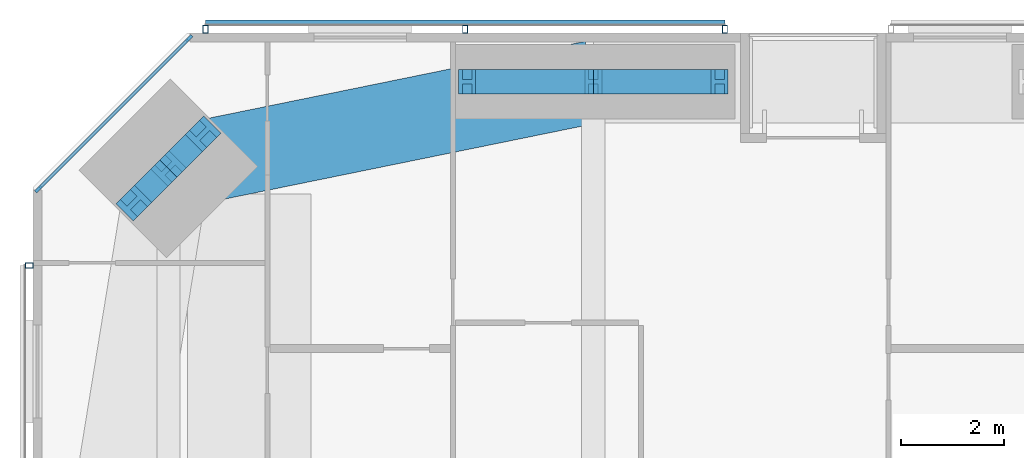
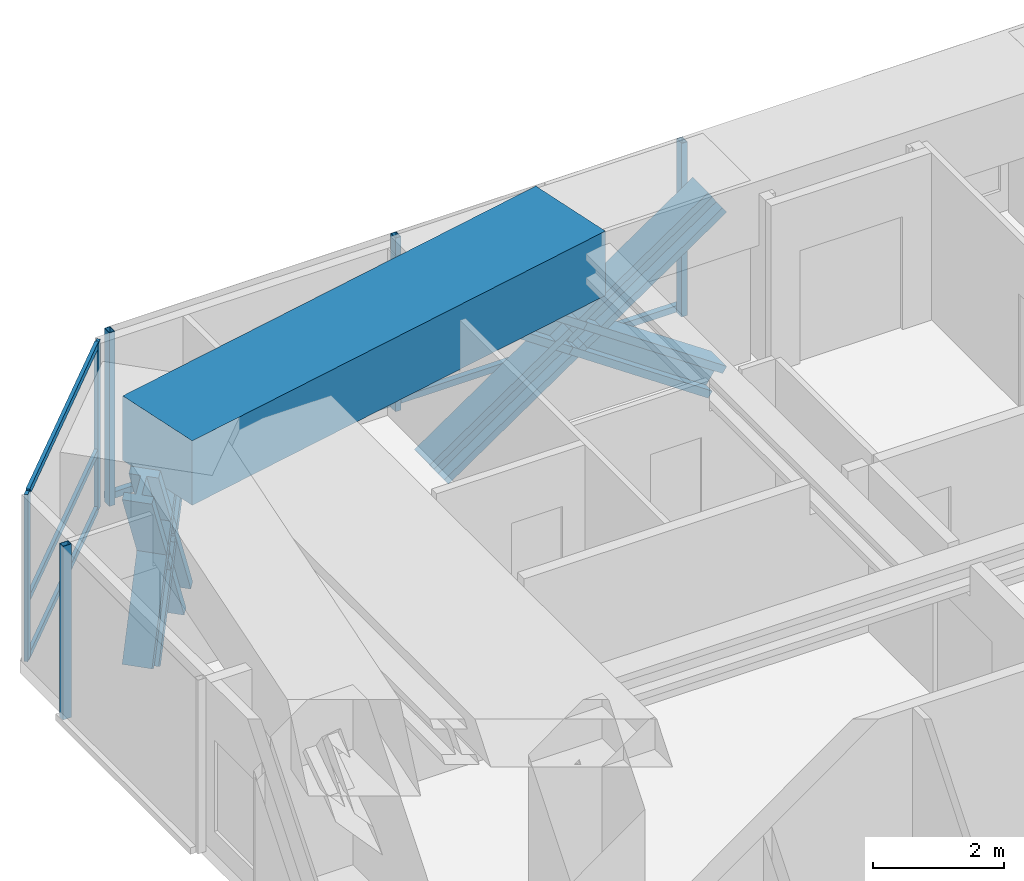
# One storey, part 12 of 24: 18 members, 1 beam, 3 elements without a shape of their own.
"""IFC4 building model written with IfcOpenShell, lengths in metres."""

from ifc_helpers import new_model, si_unit, direction, frame, origin, origin_2d, place, context, subcontext, project, spatial, rectangle, hollow_rectangle, i_section, extrude, material, material_profile, profile_set, type_object, element, aggregate, save


model = new_model("IFC4")

# Units and contexts
model_context = context("Model", 3, precision=1e-05, world=origin(), true_north=direction((0.0, 1.0)))
body_context = subcontext(model_context, "Body", "Model", "MODEL_VIEW")
ifc_project = project(units=[si_unit("LENGTHUNIT", "METRE"), si_unit("AREAUNIT", "SQUARE_METRE"), si_unit("VOLUMEUNIT", "CUBIC_METRE"), si_unit("PLANEANGLEUNIT", "RADIAN"), si_unit("MASSUNIT", "GRAM", prefix="KILO")], contexts=[model_context])

# Site, building, storey
site_placement = place(None, origin())
site = spatial("IfcSite", under=ifc_project, at=site_placement, CompositionType="ELEMENT")
building_placement = place(site_placement, origin())
building = spatial("IfcBuilding", under=site, at=building_placement, Name="Jalousie Tower", CompositionType="ELEMENT")
storey_placement = place(building_placement, frame((0.0, 0.0, 135.0)))
storey = spatial("IfcBuildingStorey", under=building, at=storey_placement, Name="L37", CompositionType="ELEMENT", Elevation=135.0)

# Curtain wall, members
ifc_material_1 = material(Name="Aluminium curtain wall", Category="aluminium")
curtain_wall_type_1 = type_object("IfcCurtainWallType", Name="CORNER WINDOW WALL", PredefinedType="USERDEFINED", material=ifc_material_1)
curtain_wall_1_placement = place(storey_placement, origin())
curtain_wall_1 = element("IfcCurtainWall", 1, at=curtain_wall_1_placement, inside=storey, type_object=curtain_wall_type_1, Name="Corner Window Wall L37 6", ObjectType="CORNER WINDOW WALL", PredefinedType="USERDEFINED")
ifc_material_2 = material(Name="Aluminium mullion", Category="aluminium")
ifc_material_profile_1 = material_profile(ifc_material_2, rectangle(XDim=0.06005859375, YDim=0.14990234375, at=origin_2d()), Name="MULLION 60x150")
ifc_profile_set_1 = profile_set([ifc_material_profile_1], Name="Aluminium mullion")
member_type_1 = type_object("IfcMemberType", Name="CORNER WINDOW WALL MULLION", PredefinedType="MULLION", material=ifc_profile_set_1)
member_1_placement = place(storey_placement, frame((9.030029296875, 37.891357421875, 0.0), z_axis=(0.0, 0.0, 1.0), x_axis=(0.707106781187, -0.707106781187, 0.0)))
member_1 = element("IfcMember", 2, at=member_1_placement, type_object=member_type_1, Name="CW-C mullion 1", PredefinedType="MULLION", context=body_context, shape_type="SweptSolid", body=[
    extrude(rectangle(XDim=0.06005859375, YDim=0.14990234375, at=origin_2d()), origin(), (0.0, 0.0, 1.0), 3.110107421875),
])
member_2_placement = place(storey_placement, frame((6.108642578125, 34.969970703125, 0.0), z_axis=(0.0, 0.0, 1.0), x_axis=(0.707106781187, -0.707106781187, 0.0)))
member_2 = element("IfcMember", 3, at=member_2_placement, type_object=member_type_1, Name="CW-C mullion 2", PredefinedType="MULLION", context=body_context, shape_type="SweptSolid", body=[
    extrude(rectangle(XDim=0.06005859375, YDim=0.14990234375, at=origin_2d()), origin(), (0.0, 0.0, 1.0), 3.110107421875),
])
ifc_material_3 = material(Name="Aluminium transom", Category="aluminium")
ifc_material_profile_2 = material_profile(ifc_material_3, rectangle(XDim=0.06005859375, YDim=0.1201171875, at=origin_2d()), Name="TRANSOM 60x120")
ifc_profile_set_2 = profile_set([ifc_material_profile_2], Name="Aluminium transom")
member_type_2 = type_object("IfcMemberType", Name="CORNER WINDOW WALL TRANSOM", PredefinedType="USERDEFINED", material=ifc_profile_set_2)
member_3_placement = place(storey_placement, frame((9.0087890625, 37.8701171875, 0.030029296875), z_axis=(-0.707106781187, -0.707106781187, 0.0), x_axis=(0.707106781187, -0.707106781187, 0.0)))
member_3 = element("IfcMember", 4, at=member_3_placement, type_object=member_type_2, Name="CW-C transom 1.1", ObjectType="TRANSOM", PredefinedType="USERDEFINED", context=body_context, shape_type="SweptSolid", body=[
    extrude(rectangle(XDim=0.06005859375, YDim=0.1201171875, at=origin_2d()), origin(), (0.0, 0.0, 1.0), 4.0712890625),
])
member_4_placement = place(storey_placement, frame((9.0087890625, 37.8701171875, 1.10009765625), z_axis=(-0.707106781187, -0.707106781187, 0.0), x_axis=(0.707106781187, -0.707106781187, 0.0)))
member_4 = element("IfcMember", 5, at=member_4_placement, type_object=member_type_2, Name="CW-C transom 1.2", ObjectType="TRANSOM", PredefinedType="USERDEFINED", context=body_context, shape_type="SweptSolid", body=[
    extrude(rectangle(XDim=0.06005859375, YDim=0.1201171875, at=origin_2d()), origin(), (0.0, 0.0, 1.0), 4.0712890625),
])
member_5_placement = place(storey_placement, frame((9.0087890625, 37.8701171875, 3.080078125), z_axis=(-0.707106781187, -0.707106781187, 0.0), x_axis=(0.707106781187, -0.707106781187, 0.0)))
member_5 = element("IfcMember", 6, at=member_5_placement, type_object=member_type_2, Name="CW-C transom 1.3", ObjectType="TRANSOM", PredefinedType="USERDEFINED", context=body_context, shape_type="SweptSolid", body=[
    extrude(rectangle(XDim=0.06005859375, YDim=0.1201171875, at=origin_2d()), origin(), (0.0, 0.0, 1.0), 4.0712890625),
])
aggregate(curtain_wall_1, [member_1, member_2, member_3, member_4, member_5])

# Members
ifc_material_4 = material(Name="Steel ASTM A992 Grade 50", Category="steel")
ifc_material_profile_3 = material_profile(ifc_material_4, i_section(OverallWidth=0.472412109375, OverallDepth=0.5791015625, WebThickness=0.094970703125, FlangeThickness=0.1298828125, at=origin_2d()), Name="W14X808")
ifc_profile_set_3 = profile_set([ifc_material_profile_3], Name="Steel ASTM A992 Grade 50")
member_type_3 = type_object("IfcMemberType", Name="PERIMETER BRACE W14X808", PredefinedType="BRACE", material=ifc_profile_set_3)
for number, where, z_axis, x_axis, name in (
    (7, (14.425048828125, 37.050048828125, -0.60009765625), (0.825500916831, 0.0, 0.564400776321), (0.0, 1.0, 0.0), "Perimeter brace 11 L37 part 1"),
    (8, (16.875, 37.050048828125, 1.074951171875), (0.825500916831, 0.0, 0.564400776321), (0.0, 1.0, 0.0), "Perimeter brace 11 L37 part 2"),
    (9, (19.324951171875, 37.050048828125, -0.60009765625), (-0.825500916831, 0.0, 0.564400776321), (0.0, -1.0, 0.0), "Perimeter brace 11 L37 part 3"),
    (10, (16.875, 37.050048828125, 1.074951171875), (-0.825500916831, 0.0, 0.564400776321), (0.0, -1.0, 0.0), "Perimeter brace 11 L37 part 4"),
):
    element("IfcMember", number, at=place(storey_placement, frame(where, z_axis=z_axis, x_axis=x_axis)), inside=storey, type_object=member_type_3, Name=name, PredefinedType="BRACE", context=body_context, shape_type="SweptSolid", body=[
        extrude(i_section(OverallWidth=0.472412109375, OverallDepth=0.5791015625, WebThickness=0.094970703125, FlangeThickness=0.1298828125, at=origin_2d()), origin(), (0.0, 0.0, 1.0), 2.9677734375),
    ])
for number, where, z_axis, x_axis, name in (
    (11, (9.302978515625, 36.040283203125, -0.60009765625), (-0.348789058631, -0.348789058631, 0.869880672943), (0.707106781187, -0.707106781187, 0.0), "Perimeter brace 12 L37 part 1"),
    (12, (8.63134765625, 35.36865234375, 1.074951171875), (-0.348789058631, -0.348789058631, 0.869880672943), (0.707106781187, -0.707106781187, 0.0), "Perimeter brace 12 L37 part 2"),
    (13, (7.959716796875, 34.697021484375, -0.60009765625), (0.348789058631, 0.348789058631, 0.869880672943), (-0.707106781187, 0.707106781187, 0.0), "Perimeter brace 12 L37 part 3"),
    (14, (8.63134765625, 35.36865234375, 1.074951171875), (0.348789058631, 0.348789058631, 0.869880672943), (-0.707106781187, 0.707106781187, 0.0), "Perimeter brace 12 L37 part 4"),
):
    element("IfcMember", number, at=place(storey_placement, frame(where, z_axis=z_axis, x_axis=x_axis)), inside=storey, type_object=member_type_3, Name=name, PredefinedType="BRACE", context=body_context, shape_type="SweptSolid", body=[
        extrude(i_section(OverallWidth=0.472412109375, OverallDepth=0.5791015625, WebThickness=0.094970703125, FlangeThickness=0.1298828125, at=origin_2d()), origin(), (0.0, 0.0, 1.0), 1.925537109375),
    ])

# Beam
ifc_material_5 = material(Name="Concrete f'c 40 MPa", Category="concrete")
ifc_material_profile_4 = material_profile(ifc_material_5, rectangle(XDim=1.60009765625, YDim=1.199951171875, at=origin_2d()), Name="RC 1600x1200")
ifc_profile_set_4 = profile_set([ifc_material_profile_4], Name="Concrete f'c 40 MPa")
beam_type = type_object("IfcBeamType", Name="RC BEAM 1600x1200", PredefinedType="BEAM", material=ifc_profile_set_4)
beam_placement = place(storey_placement, frame((16.875, 37.050048828125, 2.75), z_axis=(-0.97982690954, -0.199848010602, 0.0), x_axis=(0.199848010602, -0.97982690954, 0.0)))
element("IfcBeam", 15, at=beam_placement, inside=storey, type_object=beam_type, Name="Edge band beam 11-12 under L38", PredefinedType="BEAM", context=body_context, shape_type="SweptSolid", body=[
    extrude(rectangle(XDim=1.60009765625, YDim=1.199951171875, at=origin_2d()), origin(), (0.0, 0.0, 1.0), 8.413330078125),
])

# Curtain wall, members
ifc_material_6 = material(Name="Perforated aluminium sheet", Category="aluminium")
curtain_wall_type_2 = type_object("IfcCurtainWallType", Name="SOLAR SCREEN SS-1", PredefinedType="USERDEFINED", material=ifc_material_6)
curtain_wall_2_placement = place(storey_placement, origin())
curtain_wall_2 = element("IfcCurtainWall", 16, at=curtain_wall_2_placement, inside=storey, type_object=curtain_wall_type_2, Name="Solar screen L37", ObjectType="SOLAR SCREEN SS-1", PredefinedType="USERDEFINED")
ifc_material_7 = material(Name="Steel ASTM A500 Grade C", Category="steel")
ifc_material_profile_5 = material_profile(ifc_material_7, hollow_rectangle(XDim=0.1015625, YDim=0.15234375, WallThickness=0.00634765625, at=origin_2d()), Name="HSS6X4X1/4")
ifc_profile_set_5 = profile_set([ifc_material_profile_5], Name="Steel ASTM A500 Grade C")
member_type_4 = type_object("IfcMemberType", Name="SOLAR SCREEN SS-1 MULLION", PredefinedType="MULLION", material=ifc_profile_set_5)
member_6_placement = place(storey_placement, frame((19.425048828125, 38.0712890625, -0.1201171875), z_axis=(0.0, 0.0, 1.0), x_axis=(-1.0, 0.0, 0.0)))
member_6 = element("IfcMember", 17, at=member_6_placement, type_object=member_type_4, Name="SS1 post 1", PredefinedType="MULLION", context=body_context, shape_type="SweptSolid", body=[
    extrude(hollow_rectangle(XDim=0.1015625, YDim=0.15234375, WallThickness=0.00634765625, at=origin_2d()), origin(), (0.0, 0.0, 1.0), 3.230224609375),
])
member_7_placement = place(storey_placement, frame((14.38818359375, 38.0712890625, -0.1201171875), z_axis=(0.0, 0.0, 1.0), x_axis=(-1.0, 0.0, 0.0)))
member_7 = element("IfcMember", 18, at=member_7_placement, type_object=member_type_4, Name="SS1 post 2", PredefinedType="MULLION", context=body_context, shape_type="SweptSolid", body=[
    extrude(hollow_rectangle(XDim=0.1015625, YDim=0.15234375, WallThickness=0.00634765625, at=origin_2d()), origin(), (0.0, 0.0, 1.0), 3.230224609375),
])
member_8_placement = place(storey_placement, frame((9.351318359375, 38.0712890625, -0.1201171875), z_axis=(0.0, 0.0, 1.0), x_axis=(-1.0, 0.0, 0.0)))
member_8 = element("IfcMember", 19, at=member_8_placement, type_object=member_type_4, Name="SS1 post 3", PredefinedType="MULLION", context=body_context, shape_type="SweptSolid", body=[
    extrude(hollow_rectangle(XDim=0.1015625, YDim=0.15234375, WallThickness=0.00634765625, at=origin_2d()), origin(), (0.0, 0.0, 1.0), 3.230224609375),
])

# Curtain wall, member
curtain_wall_3_placement = place(storey_placement, origin())
curtain_wall_3 = element("IfcCurtainWall", 20, at=curtain_wall_3_placement, inside=storey, type_object=curtain_wall_type_2, Name="Solar screen L37", ObjectType="SOLAR SCREEN SS-1", PredefinedType="USERDEFINED")
member_9_placement = place(storey_placement, frame((5.9287109375, 33.486083984375, -0.1201171875), z_axis=(0.0, 0.0, 1.0), x_axis=(0.0, -1.0, 0.0)))
member_9 = element("IfcMember", 21, at=member_9_placement, type_object=member_type_4, Name="SS1 post 1", PredefinedType="MULLION", context=body_context, shape_type="SweptSolid", body=[
    extrude(hollow_rectangle(XDim=0.1015625, YDim=0.15234375, WallThickness=0.00634765625, at=origin_2d()), origin(), (0.0, 0.0, 1.0), 3.230224609375),
])
aggregate(curtain_wall_3, [member_9])

# Member
ifc_material_8 = material(Name="Extruded aluminium screen rail", Category="aluminium")
ifc_material_profile_6 = material_profile(ifc_material_8, rectangle(XDim=0.1015625, YDim=0.1201171875, at=origin_2d()), Name="RAIL 102x120")
ifc_profile_set_6 = profile_set([ifc_material_profile_6], Name="Extruded aluminium screen rail")
member_type_5 = type_object("IfcMemberType", Name="SOLAR SCREEN SS-1 TRANSOM", PredefinedType="USERDEFINED", material=ifc_profile_set_6)
member_10_placement = place(storey_placement, frame((19.425048828125, 38.1982421875, -0.06005859375), z_axis=(-1.0, 0.0, 0.0), x_axis=(0.0, -1.0, 0.0)))
member_10 = element("IfcMember", 22, at=member_10_placement, type_object=member_type_5, Name="SS1 rail", ObjectType="TRANSOM", PredefinedType="USERDEFINED", context=body_context, shape_type="SweptSolid", body=[
    extrude(rectangle(XDim=0.1015625, YDim=0.1201171875, at=origin_2d()), origin(), (0.0, 0.0, 1.0), 10.07373046875),
])

aggregate(curtain_wall_2, [member_6, member_7, member_8, member_10])

save(model, "model.ifc")
